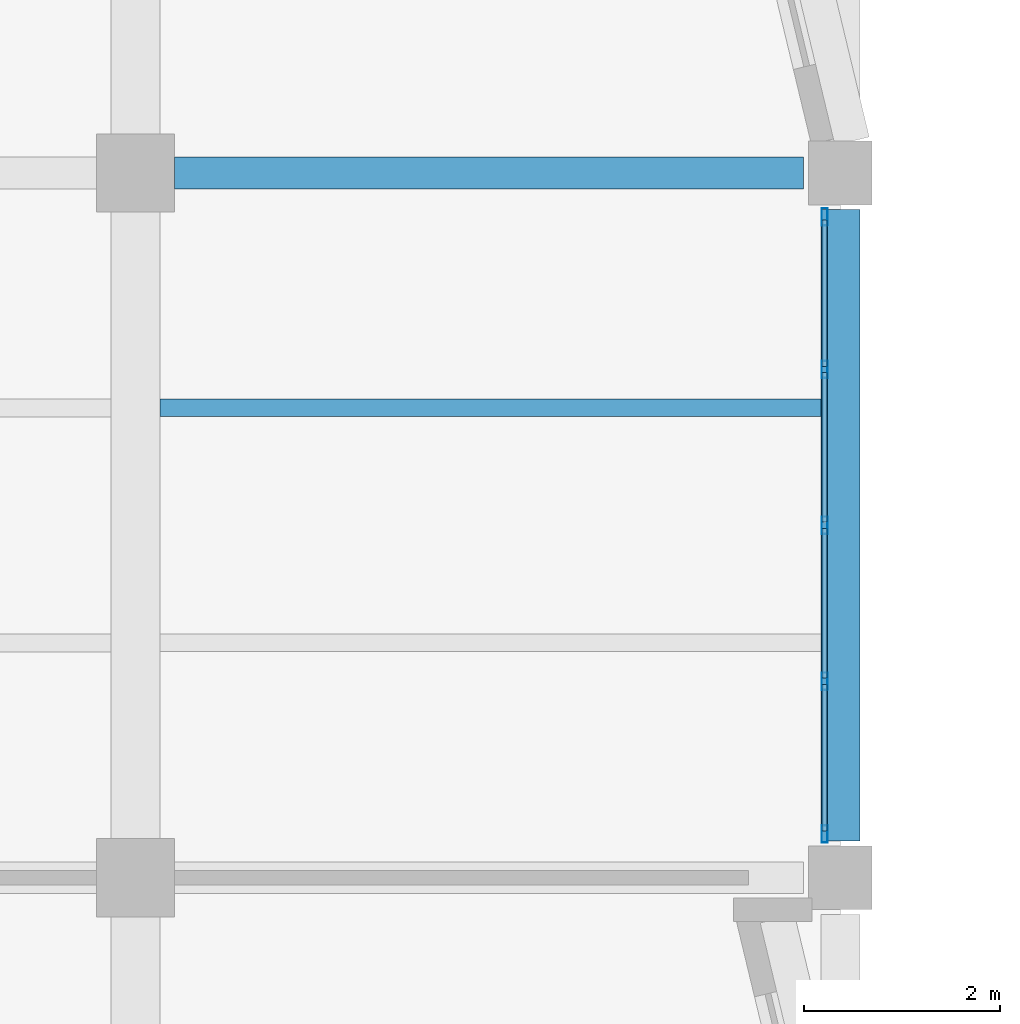
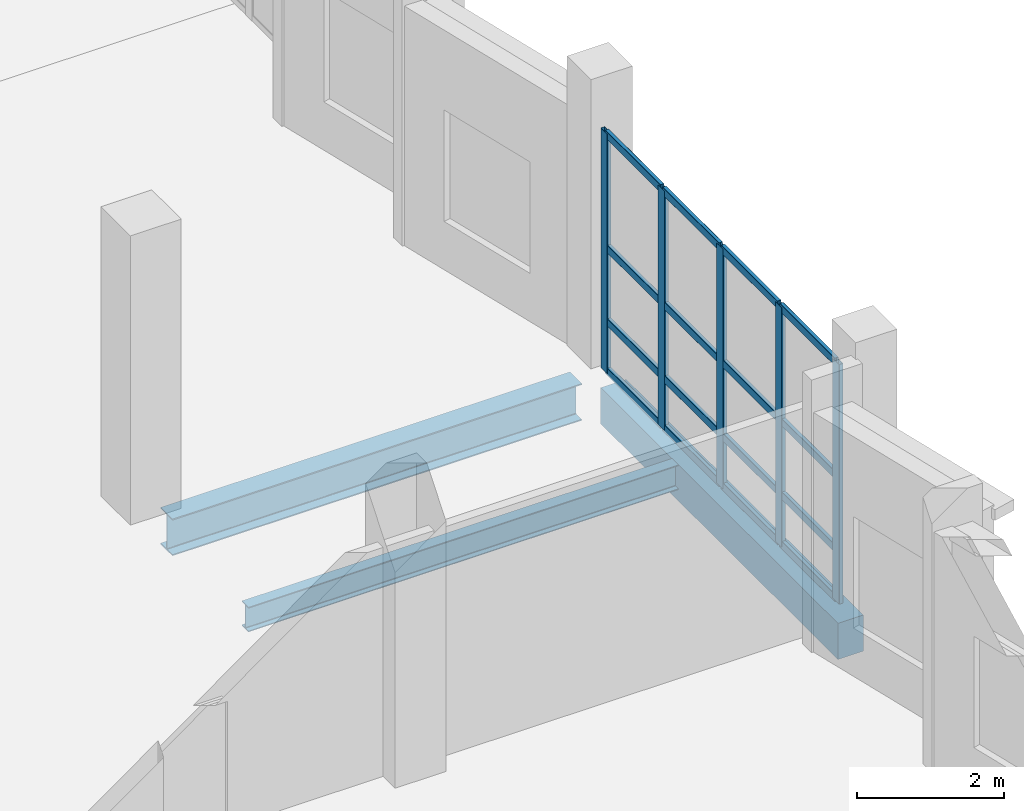
# One storey, part 45 of 127: 21 members, 3 beams, 1 element without a shape of its own.
"""IFC4 building model written with IfcOpenShell, lengths in metres."""

from ifc_helpers import new_model, si_unit, direction, frame, origin, origin_2d, place, context, subcontext, project, spatial, rectangle, hollow_rectangle, i_section, extrude, material, material_profile, profile_set, type_object, element, aggregate, save


model = new_model("IFC4")

# Units and contexts
model_context = context("Model", 3, precision=1e-05, world=origin(), true_north=direction((0.0, 1.0)))
body_context = subcontext(model_context, "Body", "Model", "MODEL_VIEW")
ifc_project = project(units=[si_unit("LENGTHUNIT", "METRE"), si_unit("AREAUNIT", "SQUARE_METRE"), si_unit("VOLUMEUNIT", "CUBIC_METRE"), si_unit("PLANEANGLEUNIT", "RADIAN"), si_unit("MASSUNIT", "GRAM", prefix="KILO")], contexts=[model_context])

# Site, building, storey
site_placement = place(None, origin())
site = spatial("IfcSite", under=ifc_project, at=site_placement, CompositionType="ELEMENT")
building_placement = place(site_placement, origin())
building = spatial("IfcBuilding", under=site, at=building_placement, Name="Kalmorath City Hall", CompositionType="ELEMENT")
storey_placement = place(building_placement, frame((0.0, 0.0, 5.39990234375)))
storey = spatial("IfcBuildingStorey", under=building, at=storey_placement, Name="L01", CompositionType="ELEMENT", Elevation=5.39990234375)

# Beam
ifc_material_1 = material(Name="Concrete C40/50", Category="concrete")
ifc_material_profile_1 = material_profile(ifc_material_1, rectangle(XDim=0.39990234375, YDim=0.60009765625, at=origin_2d()), Name="RC-BM-400X600")
ifc_profile_set_1 = profile_set([ifc_material_profile_1], Name="Concrete C40/50")
beam_type_1 = type_object("IfcBeamType", Name="Concrete edge beam 400x600", PredefinedType="SPANDREL", material=ifc_profile_set_1)
beam_1_placement = place(storey_placement, frame((28.800048828125, 72.375, -0.6240234375), z_axis=(0.0, 1.0, 0.0), x_axis=(-1.0, 0.0, 0.0)))
element("IfcBeam", 1, at=beam_1_placement, inside=storey, type_object=beam_type_1, Name="L01 girder CB6 Y5/11-12", PredefinedType="SPANDREL", context=body_context, shape_type="SweptSolid", body=[
    extrude(rectangle(XDim=0.39990234375, YDim=0.60009765625, at=origin_2d()), origin(), (0.0, 0.0, 1.0), 6.449951171875),
])

# Curtain wall, members
ifc_material_2 = material(Name="Anodised aluminium and laminated glass", Category="aluminium")
curtain_wall_type = type_object("IfcCurtainWallType", Name="Unitised hurricane curtain wall 6370x3976 M1750", PredefinedType="NOTDEFINED", material=ifc_material_2)
curtain_wall_placement = place(storey_placement, origin())
curtain_wall = element("IfcCurtainWall", 2, at=curtain_wall_placement, inside=storey, type_object=curtain_wall_type, Name="L01 curtain wall CW-64X40M18 #109", PredefinedType="NOTDEFINED")
ifc_material_3 = material(Name="Anodised aluminium framing", Category="aluminium")
ifc_material_profile_2 = material_profile(ifc_material_3, hollow_rectangle(XDim=0.06494140625, YDim=0.179931640625, WallThickness=0.00390625, InnerFilletRadius=0.00390625, OuterFilletRadius=0.008056640625, at=origin_2d()), Name="ALU-MUL-180X65X4")
ifc_profile_set_2 = profile_set([ifc_material_profile_2], Name="Anodised aluminium framing")
member_type_1 = type_object("IfcMemberType", Name="Curtain-wall courtyard mullion 180x65", PredefinedType="MULLION", material=ifc_profile_set_2)
member_1_placement = place(storey_placement, frame((28.639892578125, 78.75244140625, 0.0), z_axis=(0.0, 0.0, 1.0), x_axis=(1.0, 0.0, 0.0)))
member_1 = element("IfcMember", 3, at=member_1_placement, type_object=member_type_1, Name="CW-64X40M18 mullion 1", PredefinedType="MULLION", context=body_context, shape_type="SweptSolid", body=[
    extrude(hollow_rectangle(XDim=0.06494140625, YDim=0.179931640625, WallThickness=0.00390625, InnerFilletRadius=0.00390625, OuterFilletRadius=0.008056640625, at=origin_2d()), origin(), (0.0, 0.0, 1.0), 3.97607421875),
])
member_2_placement = place(storey_placement, frame((28.639892578125, 77.1923828125, 0.0), z_axis=(0.0, 0.0, 1.0), x_axis=(1.0, 0.0, 0.0)))
member_2 = element("IfcMember", 4, at=member_2_placement, type_object=member_type_1, Name="CW-64X40M18 mullion 2", PredefinedType="MULLION", context=body_context, shape_type="SweptSolid", body=[
    extrude(hollow_rectangle(XDim=0.06494140625, YDim=0.179931640625, WallThickness=0.00390625, InnerFilletRadius=0.00390625, OuterFilletRadius=0.008056640625, at=origin_2d()), origin(), (0.0, 0.0, 1.0), 3.97607421875),
])
member_3_placement = place(storey_placement, frame((28.639892578125, 75.60009765625, 0.0), z_axis=(0.0, 0.0, 1.0), x_axis=(1.0, 0.0, 0.0)))
member_3 = element("IfcMember", 5, at=member_3_placement, type_object=member_type_1, Name="CW-64X40M18 mullion 3", PredefinedType="MULLION", context=body_context, shape_type="SweptSolid", body=[
    extrude(hollow_rectangle(XDim=0.06494140625, YDim=0.179931640625, WallThickness=0.00390625, InnerFilletRadius=0.00390625, OuterFilletRadius=0.008056640625, at=origin_2d()), origin(), (0.0, 0.0, 1.0), 3.97607421875),
])
member_4_placement = place(storey_placement, frame((28.639892578125, 74.007568359375, 0.0), z_axis=(0.0, 0.0, 1.0), x_axis=(1.0, 0.0, 0.0)))
member_4 = element("IfcMember", 6, at=member_4_placement, type_object=member_type_1, Name="CW-64X40M18 mullion 4", PredefinedType="MULLION", context=body_context, shape_type="SweptSolid", body=[
    extrude(hollow_rectangle(XDim=0.06494140625, YDim=0.179931640625, WallThickness=0.00390625, InnerFilletRadius=0.00390625, OuterFilletRadius=0.008056640625, at=origin_2d()), origin(), (0.0, 0.0, 1.0), 3.97607421875),
])
member_5_placement = place(storey_placement, frame((28.639892578125, 72.447509765625, 0.0), z_axis=(0.0, 0.0, 1.0), x_axis=(1.0, 0.0, 0.0)))
member_5 = element("IfcMember", 7, at=member_5_placement, type_object=member_type_1, Name="CW-64X40M18 mullion 5", PredefinedType="MULLION", context=body_context, shape_type="SweptSolid", body=[
    extrude(hollow_rectangle(XDim=0.06494140625, YDim=0.179931640625, WallThickness=0.00390625, InnerFilletRadius=0.00390625, OuterFilletRadius=0.008056640625, at=origin_2d()), origin(), (0.0, 0.0, 1.0), 3.97607421875),
])
ifc_material_4 = material(Name="Anodised aluminium framing", Category="aluminium")
ifc_material_profile_3 = material_profile(ifc_material_4, hollow_rectangle(XDim=0.06005859375, YDim=0.1298828125, WallThickness=0.00341796875, InnerFilletRadius=0.00341796875, OuterFilletRadius=0.007080078125, at=origin_2d()), Name="ALU-TRN-130X60X3.5")
ifc_profile_set_3 = profile_set([ifc_material_profile_3], Name="Anodised aluminium framing")
member_type_2 = type_object("IfcMemberType", Name="Curtain-wall courtyard transom 130x60", PredefinedType="USERDEFINED", material=ifc_profile_set_3)
member_6_placement = place(storey_placement, frame((28.639892578125, 78.719970703125, 0.030029296875), z_axis=(0.0, -1.0, 0.0), x_axis=(1.0, 0.0, 0.0)))
member_6 = element("IfcMember", 8, at=member_6_placement, type_object=member_type_2, Name="CW-64X40M18 transom 1.1", ObjectType="TRANSOM", PredefinedType="USERDEFINED", context=body_context, shape_type="SweptSolid", body=[
    extrude(hollow_rectangle(XDim=0.06005859375, YDim=0.1298828125, WallThickness=0.00341796875, InnerFilletRadius=0.00341796875, OuterFilletRadius=0.007080078125, at=origin_2d()), origin(), (0.0, 0.0, 1.0), 1.494873046875),
])
member_7_placement = place(storey_placement, frame((28.639892578125, 78.719970703125, 0.85009765625), z_axis=(0.0, -1.0, 0.0), x_axis=(1.0, 0.0, 0.0)))
member_7 = element("IfcMember", 9, at=member_7_placement, type_object=member_type_2, Name="CW-64X40M18 transom 1.2", ObjectType="TRANSOM", PredefinedType="USERDEFINED", context=body_context, shape_type="SweptSolid", body=[
    extrude(hollow_rectangle(XDim=0.06005859375, YDim=0.1298828125, WallThickness=0.00341796875, InnerFilletRadius=0.00341796875, OuterFilletRadius=0.007080078125, at=origin_2d()), origin(), (0.0, 0.0, 1.0), 1.494873046875),
])
member_8_placement = place(storey_placement, frame((28.639892578125, 78.719970703125, 2.068115234375), z_axis=(0.0, -1.0, 0.0), x_axis=(1.0, 0.0, 0.0)))
member_8 = element("IfcMember", 10, at=member_8_placement, type_object=member_type_2, Name="CW-64X40M18 transom 1.3", ObjectType="TRANSOM", PredefinedType="USERDEFINED", context=body_context, shape_type="SweptSolid", body=[
    extrude(hollow_rectangle(XDim=0.06005859375, YDim=0.1298828125, WallThickness=0.00341796875, InnerFilletRadius=0.00341796875, OuterFilletRadius=0.007080078125, at=origin_2d()), origin(), (0.0, 0.0, 1.0), 1.494873046875),
])
member_9_placement = place(storey_placement, frame((28.639892578125, 78.719970703125, 3.946044921875), z_axis=(0.0, -1.0, 0.0), x_axis=(1.0, 0.0, 0.0)))
member_9 = element("IfcMember", 11, at=member_9_placement, type_object=member_type_2, Name="CW-64X40M18 transom 1.4", ObjectType="TRANSOM", PredefinedType="USERDEFINED", context=body_context, shape_type="SweptSolid", body=[
    extrude(hollow_rectangle(XDim=0.06005859375, YDim=0.1298828125, WallThickness=0.00341796875, InnerFilletRadius=0.00341796875, OuterFilletRadius=0.007080078125, at=origin_2d()), origin(), (0.0, 0.0, 1.0), 1.494873046875),
])
member_10_placement = place(storey_placement, frame((28.639892578125, 77.159912109375, 0.030029296875), z_axis=(0.0, -1.0, 0.0), x_axis=(1.0, 0.0, 0.0)))
member_10 = element("IfcMember", 12, at=member_10_placement, type_object=member_type_2, Name="CW-64X40M18 transom 2.1", ObjectType="TRANSOM", PredefinedType="USERDEFINED", context=body_context, shape_type="SweptSolid", body=[
    extrude(hollow_rectangle(XDim=0.06005859375, YDim=0.1298828125, WallThickness=0.00341796875, InnerFilletRadius=0.00341796875, OuterFilletRadius=0.007080078125, at=origin_2d()), origin(), (0.0, 0.0, 1.0), 1.52734375),
])
member_11_placement = place(storey_placement, frame((28.639892578125, 77.159912109375, 0.85009765625), z_axis=(0.0, -1.0, 0.0), x_axis=(1.0, 0.0, 0.0)))
member_11 = element("IfcMember", 13, at=member_11_placement, type_object=member_type_2, Name="CW-64X40M18 transom 2.2", ObjectType="TRANSOM", PredefinedType="USERDEFINED", context=body_context, shape_type="SweptSolid", body=[
    extrude(hollow_rectangle(XDim=0.06005859375, YDim=0.1298828125, WallThickness=0.00341796875, InnerFilletRadius=0.00341796875, OuterFilletRadius=0.007080078125, at=origin_2d()), origin(), (0.0, 0.0, 1.0), 1.52734375),
])
member_12_placement = place(storey_placement, frame((28.639892578125, 77.159912109375, 2.068115234375), z_axis=(0.0, -1.0, 0.0), x_axis=(1.0, 0.0, 0.0)))
member_12 = element("IfcMember", 14, at=member_12_placement, type_object=member_type_2, Name="CW-64X40M18 transom 2.3", ObjectType="TRANSOM", PredefinedType="USERDEFINED", context=body_context, shape_type="SweptSolid", body=[
    extrude(hollow_rectangle(XDim=0.06005859375, YDim=0.1298828125, WallThickness=0.00341796875, InnerFilletRadius=0.00341796875, OuterFilletRadius=0.007080078125, at=origin_2d()), origin(), (0.0, 0.0, 1.0), 1.52734375),
])
member_13_placement = place(storey_placement, frame((28.639892578125, 77.159912109375, 3.946044921875), z_axis=(0.0, -1.0, 0.0), x_axis=(1.0, 0.0, 0.0)))
member_13 = element("IfcMember", 15, at=member_13_placement, type_object=member_type_2, Name="CW-64X40M18 transom 2.4", ObjectType="TRANSOM", PredefinedType="USERDEFINED", context=body_context, shape_type="SweptSolid", body=[
    extrude(hollow_rectangle(XDim=0.06005859375, YDim=0.1298828125, WallThickness=0.00341796875, InnerFilletRadius=0.00341796875, OuterFilletRadius=0.007080078125, at=origin_2d()), origin(), (0.0, 0.0, 1.0), 1.52734375),
])
member_14_placement = place(storey_placement, frame((28.639892578125, 75.5673828125, 0.030029296875), z_axis=(0.0, -1.0, 0.0), x_axis=(1.0, 0.0, 0.0)))
member_14 = element("IfcMember", 16, at=member_14_placement, type_object=member_type_2, Name="CW-64X40M18 transom 3.1", ObjectType="TRANSOM", PredefinedType="USERDEFINED", context=body_context, shape_type="SweptSolid", body=[
    extrude(hollow_rectangle(XDim=0.06005859375, YDim=0.1298828125, WallThickness=0.00341796875, InnerFilletRadius=0.00341796875, OuterFilletRadius=0.007080078125, at=origin_2d()), origin(), (0.0, 0.0, 1.0), 1.52734375),
])
member_15_placement = place(storey_placement, frame((28.639892578125, 75.5673828125, 0.85009765625), z_axis=(0.0, -1.0, 0.0), x_axis=(1.0, 0.0, 0.0)))
member_15 = element("IfcMember", 17, at=member_15_placement, type_object=member_type_2, Name="CW-64X40M18 transom 3.2", ObjectType="TRANSOM", PredefinedType="USERDEFINED", context=body_context, shape_type="SweptSolid", body=[
    extrude(hollow_rectangle(XDim=0.06005859375, YDim=0.1298828125, WallThickness=0.00341796875, InnerFilletRadius=0.00341796875, OuterFilletRadius=0.007080078125, at=origin_2d()), origin(), (0.0, 0.0, 1.0), 1.52734375),
])
member_16_placement = place(storey_placement, frame((28.639892578125, 75.5673828125, 2.068115234375), z_axis=(0.0, -1.0, 0.0), x_axis=(1.0, 0.0, 0.0)))
member_16 = element("IfcMember", 18, at=member_16_placement, type_object=member_type_2, Name="CW-64X40M18 transom 3.3", ObjectType="TRANSOM", PredefinedType="USERDEFINED", context=body_context, shape_type="SweptSolid", body=[
    extrude(hollow_rectangle(XDim=0.06005859375, YDim=0.1298828125, WallThickness=0.00341796875, InnerFilletRadius=0.00341796875, OuterFilletRadius=0.007080078125, at=origin_2d()), origin(), (0.0, 0.0, 1.0), 1.52734375),
])
member_17_placement = place(storey_placement, frame((28.639892578125, 75.5673828125, 3.946044921875), z_axis=(0.0, -1.0, 0.0), x_axis=(1.0, 0.0, 0.0)))
member_17 = element("IfcMember", 19, at=member_17_placement, type_object=member_type_2, Name="CW-64X40M18 transom 3.4", ObjectType="TRANSOM", PredefinedType="USERDEFINED", context=body_context, shape_type="SweptSolid", body=[
    extrude(hollow_rectangle(XDim=0.06005859375, YDim=0.1298828125, WallThickness=0.00341796875, InnerFilletRadius=0.00341796875, OuterFilletRadius=0.007080078125, at=origin_2d()), origin(), (0.0, 0.0, 1.0), 1.52734375),
])
member_18_placement = place(storey_placement, frame((28.639892578125, 73.97509765625, 0.030029296875), z_axis=(0.0, -1.0, 0.0), x_axis=(1.0, 0.0, 0.0)))
member_18 = element("IfcMember", 20, at=member_18_placement, type_object=member_type_2, Name="CW-64X40M18 transom 4.1", ObjectType="TRANSOM", PredefinedType="USERDEFINED", context=body_context, shape_type="SweptSolid", body=[
    extrude(hollow_rectangle(XDim=0.06005859375, YDim=0.1298828125, WallThickness=0.00341796875, InnerFilletRadius=0.00341796875, OuterFilletRadius=0.007080078125, at=origin_2d()), origin(), (0.0, 0.0, 1.0), 1.4951171875),
])
member_19_placement = place(storey_placement, frame((28.639892578125, 73.97509765625, 0.85009765625), z_axis=(0.0, -1.0, 0.0), x_axis=(1.0, 0.0, 0.0)))
member_19 = element("IfcMember", 21, at=member_19_placement, type_object=member_type_2, Name="CW-64X40M18 transom 4.2", ObjectType="TRANSOM", PredefinedType="USERDEFINED", context=body_context, shape_type="SweptSolid", body=[
    extrude(hollow_rectangle(XDim=0.06005859375, YDim=0.1298828125, WallThickness=0.00341796875, InnerFilletRadius=0.00341796875, OuterFilletRadius=0.007080078125, at=origin_2d()), origin(), (0.0, 0.0, 1.0), 1.4951171875),
])
member_20_placement = place(storey_placement, frame((28.639892578125, 73.97509765625, 2.068115234375), z_axis=(0.0, -1.0, 0.0), x_axis=(1.0, 0.0, 0.0)))
member_20 = element("IfcMember", 22, at=member_20_placement, type_object=member_type_2, Name="CW-64X40M18 transom 4.3", ObjectType="TRANSOM", PredefinedType="USERDEFINED", context=body_context, shape_type="SweptSolid", body=[
    extrude(hollow_rectangle(XDim=0.06005859375, YDim=0.1298828125, WallThickness=0.00341796875, InnerFilletRadius=0.00341796875, OuterFilletRadius=0.007080078125, at=origin_2d()), origin(), (0.0, 0.0, 1.0), 1.4951171875),
])
member_21_placement = place(storey_placement, frame((28.639892578125, 73.97509765625, 3.946044921875), z_axis=(0.0, -1.0, 0.0), x_axis=(1.0, 0.0, 0.0)))
member_21 = element("IfcMember", 23, at=member_21_placement, type_object=member_type_2, Name="CW-64X40M18 transom 4.4", ObjectType="TRANSOM", PredefinedType="USERDEFINED", context=body_context, shape_type="SweptSolid", body=[
    extrude(hollow_rectangle(XDim=0.06005859375, YDim=0.1298828125, WallThickness=0.00341796875, InnerFilletRadius=0.00341796875, OuterFilletRadius=0.007080078125, at=origin_2d()), origin(), (0.0, 0.0, 1.0), 1.4951171875),
])
aggregate(curtain_wall, [member_1, member_2, member_3, member_4, member_5, member_6, member_7, member_8, member_9, member_10, member_11, member_12, member_13, member_14, member_15, member_16, member_17, member_18, member_19, member_20, member_21])

# Beams
ifc_material_5 = material(Name="Steel ASTM A992 Grade 50", Category="steel")
ifc_material_profile_4 = material_profile(ifc_material_5, i_section(OverallWidth=0.178955078125, OverallDepth=0.409912109375, WebThickness=0.0087890625, FlangeThickness=0.014404296875, FilletRadius=0.012939453125, at=origin_2d()), Name="W16X45")
ifc_profile_set_4 = profile_set([ifc_material_profile_4], Name="Steel ASTM A992 Grade 50")
beam_type_2 = type_object("IfcBeamType", Name="Steel composite joist W16X45", PredefinedType="JOIST", material=ifc_profile_set_4)
beam_2_placement = place(storey_placement, frame((21.85009765625, 76.800048828125, -0.52880859375), z_axis=(1.0, 0.0, 0.0), x_axis=(0.0, 1.0, 0.0)))
element("IfcBeam", 24, at=beam_2_placement, inside=storey, type_object=beam_type_2, Name="L01 joist SJ6 4.11.2", PredefinedType="JOIST", context=body_context, shape_type="SweptSolid", body=[
    extrude(i_section(OverallWidth=0.178955078125, OverallDepth=0.409912109375, WebThickness=0.0087890625, FlangeThickness=0.014404296875, FilletRadius=0.012939453125, at=origin_2d()), origin(), (0.0, 0.0, 1.0), 6.75),
])
ifc_material_6 = material(Name="Steel ASTM A992 Grade 50", Category="steel")
ifc_material_profile_5 = material_profile(ifc_material_6, i_section(OverallWidth=0.323974609375, OverallDepth=0.611083984375, WebThickness=0.0126953125, FlangeThickness=0.01904296875, FilletRadius=0.01611328125, at=origin_2d()), Name="W24X104")
ifc_profile_set_5 = profile_set([ifc_material_profile_5], Name="Steel ASTM A992 Grade 50")
beam_type_3 = type_object("IfcBeamType", Name="Steel floor girder W24X104", PredefinedType="BEAM", material=ifc_profile_set_5)
beam_3_placement = place(storey_placement, frame((22.0, 79.199951171875, -0.62939453125), z_axis=(1.0, 0.0, 0.0), x_axis=(0.0, 1.0, 0.0)))
element("IfcBeam", 25, at=beam_3_placement, inside=storey, type_object=beam_type_3, Name="L01 girder SG7 X4-5/12", PredefinedType="BEAM", context=body_context, shape_type="SweptSolid", body=[
    extrude(i_section(OverallWidth=0.323974609375, OverallDepth=0.611083984375, WebThickness=0.0126953125, FlangeThickness=0.01904296875, FilletRadius=0.01611328125, at=origin_2d()), origin(), (0.0, 0.0, 1.0), 6.425048828125),
])

save(model, "model.ifc")
